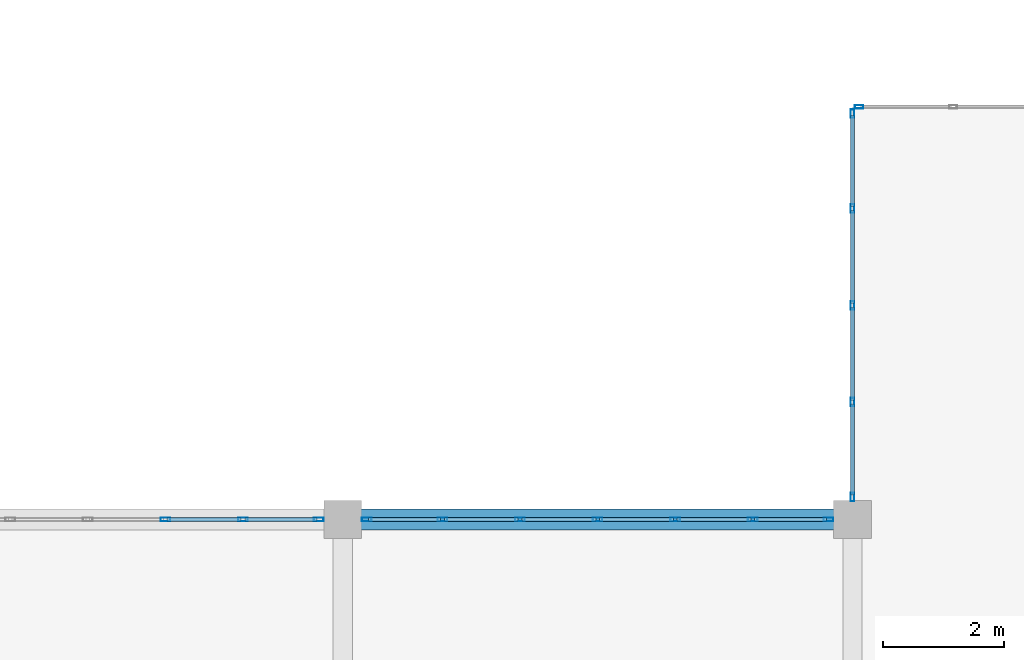
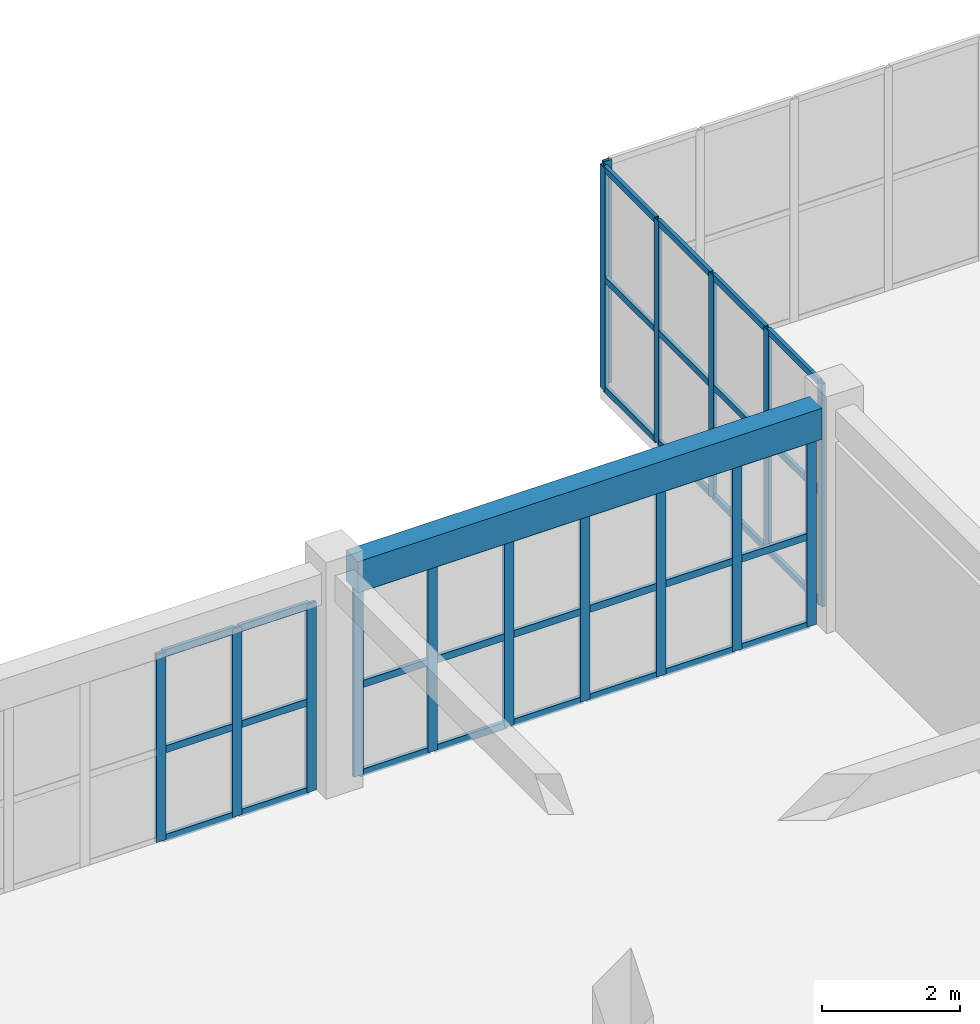
# One storey, part 44 of 81: 52 members, 1 beam, 4 elements without a shape of their own.
"""IFC4 building model written with IfcOpenShell, lengths in metres."""

from ifc_helpers import new_model, si_unit, direction, frame, origin, origin_2d, place, context, subcontext, project, spatial, rectangle, hollow_rectangle, extrude, material, layer, layer_set, material_profile, profile_set, type_object, element, aggregate, save


model = new_model("IFC4")

# Units and contexts
model_context = context("Model", 3, precision=1e-05, world=origin(), true_north=direction((0.0, 1.0)))
body_context = subcontext(model_context, "Body", "Model", "MODEL_VIEW")
ifc_project = project(units=[si_unit("LENGTHUNIT", "METRE"), si_unit("AREAUNIT", "SQUARE_METRE"), si_unit("VOLUMEUNIT", "CUBIC_METRE"), si_unit("PLANEANGLEUNIT", "RADIAN"), si_unit("MASSUNIT", "GRAM", prefix="KILO")], contexts=[model_context])

# Site, building, storey
site_placement = place(None, origin())
site = spatial("IfcSite", under=ifc_project, at=site_placement, CompositionType="ELEMENT")
building_placement = place(site_placement, origin())
building = spatial("IfcBuilding", under=site, at=building_placement, Name="Trelvath General Hospital", CompositionType="ELEMENT")
storey_placement = place(building_placement, frame((0.0, 0.0, 24.60009765625)))
storey = spatial("IfcBuildingStorey", under=building, at=storey_placement, Name="L06", CompositionType="ELEMENT", Elevation=24.60009765625)

# Beam
ifc_material_1 = material(Name="Concrete C35/45", Category="concrete")
ifc_material_profile_1 = material_profile(ifc_material_1, rectangle(XDim=0.35009765625, YDim=0.550048828125, at=origin_2d()), Name="RCB350x550")
ifc_profile_set_1 = profile_set([ifc_material_profile_1], Name="Concrete C35/45")
beam_type = type_object("IfcBeamType", Name="Beam RC350x550", PredefinedType="BEAM", material=ifc_profile_set_1)
beam_placement = place(storey_placement, frame((84.304931640625, 67.199951171875, 3.64501953125), z_axis=(1.0, 0.0, 0.0), x_axis=(0.0, 1.0, 0.0)))
element("IfcBeam", 1, at=beam_placement, inside=storey, type_object=beam_type, Name="Grid Beam BX-610I", PredefinedType="BEAM", context=body_context, shape_type="SweptSolid", body=[
    extrude(rectangle(XDim=0.35009765625, YDim=0.550048828125, at=origin_2d()), origin(), (0.0, 0.0, 1.0), 7.7900390625),
])

# Curtain wall, member
ifc_material_2 = material(Name="Anodised aluminium and low-E glass", Category="aluminium")
ifc_layer_1 = layer(ifc_material_2, 0.139892578125)
ifc_layer_set_1 = layer_set([ifc_layer_1], Name="Anodised aluminium and low-E glass")
curtain_wall_type_1 = type_object("IfcCurtainWallType", Name="CW CrystalCube 790 396 14", PredefinedType="USERDEFINED", material=ifc_layer_set_1)
curtain_wall_1_placement = place(storey_placement, origin())
curtain_wall_1 = element("IfcCurtainWall", 2, at=curtain_wall_1_placement, inside=storey, type_object=curtain_wall_type_1, Name="Crystal Cube Curtain Wall CUBE-E-T2 N1 L06", ObjectType="Unitised Glazed Curtain Wall", PredefinedType="USERDEFINED")
ifc_material_3 = material(Name="Anodised aluminium", Category="aluminium")
ifc_material_profile_2 = material_profile(ifc_material_3, hollow_rectangle(XDim=0.06005859375, YDim=0.139892578125, WallThickness=0.00390625, at=origin_2d()), Name="RHS60x140x4")
ifc_profile_set_2 = profile_set([ifc_material_profile_2], Name="Anodised aluminium")
member_type_1 = type_object("IfcMemberType", Name="CurtainMullion 60x140", PredefinedType="MULLION", material=ifc_profile_set_2)
member_1_placement = place(storey_placement, frame((92.510009765625, 74.0, 0.0), z_axis=(0.0, 0.0, 1.0), x_axis=(0.0, 1.0, 0.0)))
member_1 = element("IfcMember", 3, at=member_1_placement, type_object=member_type_1, Name="CW-334 mullion 1", PredefinedType="MULLION", context=body_context, shape_type="SweptSolid", body=[
    extrude(hollow_rectangle(XDim=0.06005859375, YDim=0.139892578125, WallThickness=0.00390625, at=origin_2d()), origin(), (0.0, 0.0, 1.0), 3.9599609375),
])
aggregate(curtain_wall_1, [member_1])

# Curtain wall, members
ifc_material_4 = material(Name="Anodised aluminium and low-E glass", Category="aluminium")
ifc_layer_2 = layer(ifc_material_4, 0.139892578125)
ifc_layer_set_2 = layer_set([ifc_layer_2], Name="Anodised aluminium and low-E glass")
curtain_wall_type_2 = type_object("IfcCurtainWallType", Name="CW CrystalCube 638 396 14", PredefinedType="USERDEFINED", material=ifc_layer_set_2)
curtain_wall_2_placement = place(storey_placement, origin())
curtain_wall_2 = element("IfcCurtainWall", 4, at=curtain_wall_2_placement, inside=storey, type_object=curtain_wall_type_2, Name="Crystal Cube Curtain Wall CUBE-E-T2 W3 L06", ObjectType="Unitised Glazed Curtain Wall", PredefinedType="USERDEFINED")
member_2_placement = place(storey_placement, frame((92.39990234375, 67.570068359375, 0.0), z_axis=(0.0, 0.0, 1.0), x_axis=(-1.0, 0.0, 0.0)))
member_2 = element("IfcMember", 5, at=member_2_placement, type_object=member_type_1, Name="CW-339 mullion 1", PredefinedType="MULLION", context=body_context, shape_type="SweptSolid", body=[
    extrude(hollow_rectangle(XDim=0.06005859375, YDim=0.139892578125, WallThickness=0.00390625, at=origin_2d()), origin(), (0.0, 0.0, 1.0), 3.9599609375),
])
member_3_placement = place(storey_placement, frame((92.39990234375, 69.135009765625, 0.0), z_axis=(0.0, 0.0, 1.0), x_axis=(-1.0, 0.0, 0.0)))
member_3 = element("IfcMember", 6, at=member_3_placement, type_object=member_type_1, Name="CW-339 mullion 2", PredefinedType="MULLION", context=body_context, shape_type="SweptSolid", body=[
    extrude(hollow_rectangle(XDim=0.06005859375, YDim=0.139892578125, WallThickness=0.00390625, at=origin_2d()), origin(), (0.0, 0.0, 1.0), 3.9599609375),
])
member_4_placement = place(storey_placement, frame((92.39990234375, 70.72998046875, 0.0), z_axis=(0.0, 0.0, 1.0), x_axis=(-1.0, 0.0, 0.0)))
member_4 = element("IfcMember", 7, at=member_4_placement, type_object=member_type_1, Name="CW-339 mullion 3", PredefinedType="MULLION", context=body_context, shape_type="SweptSolid", body=[
    extrude(hollow_rectangle(XDim=0.06005859375, YDim=0.139892578125, WallThickness=0.00390625, at=origin_2d()), origin(), (0.0, 0.0, 1.0), 3.9599609375),
])
member_5_placement = place(storey_placement, frame((92.39990234375, 72.324951171875, 0.0), z_axis=(0.0, 0.0, 1.0), x_axis=(-1.0, 0.0, 0.0)))
member_5 = element("IfcMember", 8, at=member_5_placement, type_object=member_type_1, Name="CW-339 mullion 4", PredefinedType="MULLION", context=body_context, shape_type="SweptSolid", body=[
    extrude(hollow_rectangle(XDim=0.06005859375, YDim=0.139892578125, WallThickness=0.00390625, at=origin_2d()), origin(), (0.0, 0.0, 1.0), 3.9599609375),
])
member_6_placement = place(storey_placement, frame((92.39990234375, 73.889892578125, 0.0), z_axis=(0.0, 0.0, 1.0), x_axis=(-1.0, 0.0, 0.0)))
member_6 = element("IfcMember", 9, at=member_6_placement, type_object=member_type_1, Name="CW-339 mullion 5", PredefinedType="MULLION", context=body_context, shape_type="SweptSolid", body=[
    extrude(hollow_rectangle(XDim=0.06005859375, YDim=0.139892578125, WallThickness=0.00390625, at=origin_2d()), origin(), (0.0, 0.0, 1.0), 3.9599609375),
])

ifc_material_5 = material(Name="Anodised aluminium and low-E glass", Category="aluminium")
ifc_layer_3 = layer(ifc_material_5, 0.14990234375)
ifc_layer_set_3 = layer_set([ifc_layer_3], Name="Anodised aluminium and low-E glass")
curtain_wall_type_3 = type_object("IfcCurtainWallType", Name="CW Facade 767 334 15", PredefinedType="USERDEFINED", material=ifc_layer_set_3)
curtain_wall_3_placement = place(storey_placement, origin())
curtain_wall_3 = element("IfcCurtainWall", 10, at=curtain_wall_3_placement, inside=storey, type_object=curtain_wall_type_3, Name="Facade Curtain Wall CW-079", ObjectType="Unitised Glazed Curtain Wall", PredefinedType="USERDEFINED")
ifc_material_6 = material(Name="Anodised aluminium", Category="aluminium")
ifc_material_profile_3 = material_profile(ifc_material_6, hollow_rectangle(XDim=0.06005859375, YDim=0.159912109375, WallThickness=0.00390625, at=origin_2d()), Name="RHS60x160x4")
ifc_profile_set_3 = profile_set([ifc_material_profile_3], Name="Anodised aluminium")
member_type_2 = type_object("IfcMemberType", Name="CurtainMullion 60x160", PredefinedType="MULLION", material=ifc_profile_set_3)
member_7_placement = place(storey_placement, frame((81.078369140625, 67.199951171875, 0.0), z_axis=(0.0, 0.0, 1.0), x_axis=(0.0, 1.0, 0.0)))
member_7 = element("IfcMember", 11, at=member_7_placement, type_object=member_type_2, Name="CW-079 mullion 5", PredefinedType="MULLION", context=body_context, shape_type="SweptSolid", body=[
    extrude(hollow_rectangle(XDim=0.06005859375, YDim=0.159912109375, WallThickness=0.00390625, at=origin_2d()), origin(), (0.0, 0.0, 1.0), 3.33984375),
])
member_8_placement = place(storey_placement, frame((82.356689453125, 67.199951171875, 0.0), z_axis=(0.0, 0.0, 1.0), x_axis=(0.0, 1.0, 0.0)))
member_8 = element("IfcMember", 12, at=member_8_placement, type_object=member_type_2, Name="CW-079 mullion 6", PredefinedType="MULLION", context=body_context, shape_type="SweptSolid", body=[
    extrude(hollow_rectangle(XDim=0.06005859375, YDim=0.159912109375, WallThickness=0.00390625, at=origin_2d()), origin(), (0.0, 0.0, 1.0), 3.33984375),
])
member_9_placement = place(storey_placement, frame((83.60498046875, 67.199951171875, 0.0), z_axis=(0.0, 0.0, 1.0), x_axis=(0.0, 1.0, 0.0)))
member_9 = element("IfcMember", 13, at=member_9_placement, type_object=member_type_2, Name="CW-079 mullion 7", PredefinedType="MULLION", context=body_context, shape_type="SweptSolid", body=[
    extrude(hollow_rectangle(XDim=0.06005859375, YDim=0.159912109375, WallThickness=0.00390625, at=origin_2d()), origin(), (0.0, 0.0, 1.0), 3.33984375),
])

curtain_wall_4_placement = place(storey_placement, origin())
curtain_wall_4 = element("IfcCurtainWall", 14, at=curtain_wall_4_placement, inside=storey, type_object=curtain_wall_type_3, Name="Facade Curtain Wall CW-081", ObjectType="Unitised Glazed Curtain Wall", PredefinedType="USERDEFINED")
member_10_placement = place(storey_placement, frame((84.39501953125, 67.199951171875, 0.0), z_axis=(0.0, 0.0, 1.0), x_axis=(0.0, 1.0, 0.0)))
member_10 = element("IfcMember", 15, at=member_10_placement, type_object=member_type_2, Name="CW-081 mullion 1", PredefinedType="MULLION", context=body_context, shape_type="SweptSolid", body=[
    extrude(hollow_rectangle(XDim=0.06005859375, YDim=0.159912109375, WallThickness=0.00390625, at=origin_2d()), origin(), (0.0, 0.0, 1.0), 3.33984375),
])
member_11_placement = place(storey_placement, frame((85.643310546875, 67.199951171875, 0.0), z_axis=(0.0, 0.0, 1.0), x_axis=(0.0, 1.0, 0.0)))
member_11 = element("IfcMember", 16, at=member_11_placement, type_object=member_type_2, Name="CW-081 mullion 2", PredefinedType="MULLION", context=body_context, shape_type="SweptSolid", body=[
    extrude(hollow_rectangle(XDim=0.06005859375, YDim=0.159912109375, WallThickness=0.00390625, at=origin_2d()), origin(), (0.0, 0.0, 1.0), 3.33984375),
])
member_12_placement = place(storey_placement, frame((86.921630859375, 67.199951171875, 0.0), z_axis=(0.0, 0.0, 1.0), x_axis=(0.0, 1.0, 0.0)))
member_12 = element("IfcMember", 17, at=member_12_placement, type_object=member_type_2, Name="CW-081 mullion 3", PredefinedType="MULLION", context=body_context, shape_type="SweptSolid", body=[
    extrude(hollow_rectangle(XDim=0.06005859375, YDim=0.159912109375, WallThickness=0.00390625, at=origin_2d()), origin(), (0.0, 0.0, 1.0), 3.33984375),
])
member_13_placement = place(storey_placement, frame((88.199951171875, 67.199951171875, 0.0), z_axis=(0.0, 0.0, 1.0), x_axis=(0.0, 1.0, 0.0)))
member_13 = element("IfcMember", 18, at=member_13_placement, type_object=member_type_2, Name="CW-081 mullion 4", PredefinedType="MULLION", context=body_context, shape_type="SweptSolid", body=[
    extrude(hollow_rectangle(XDim=0.06005859375, YDim=0.159912109375, WallThickness=0.00390625, at=origin_2d()), origin(), (0.0, 0.0, 1.0), 3.33984375),
])
member_14_placement = place(storey_placement, frame((89.478271484375, 67.199951171875, 0.0), z_axis=(0.0, 0.0, 1.0), x_axis=(0.0, 1.0, 0.0)))
member_14 = element("IfcMember", 19, at=member_14_placement, type_object=member_type_2, Name="CW-081 mullion 5", PredefinedType="MULLION", context=body_context, shape_type="SweptSolid", body=[
    extrude(hollow_rectangle(XDim=0.06005859375, YDim=0.159912109375, WallThickness=0.00390625, at=origin_2d()), origin(), (0.0, 0.0, 1.0), 3.33984375),
])
member_15_placement = place(storey_placement, frame((90.756591796875, 67.199951171875, 0.0), z_axis=(0.0, 0.0, 1.0), x_axis=(0.0, 1.0, 0.0)))
member_15 = element("IfcMember", 20, at=member_15_placement, type_object=member_type_2, Name="CW-081 mullion 6", PredefinedType="MULLION", context=body_context, shape_type="SweptSolid", body=[
    extrude(hollow_rectangle(XDim=0.06005859375, YDim=0.159912109375, WallThickness=0.00390625, at=origin_2d()), origin(), (0.0, 0.0, 1.0), 3.33984375),
])
member_16_placement = place(storey_placement, frame((92.0048828125, 67.199951171875, 0.0), z_axis=(0.0, 0.0, 1.0), x_axis=(0.0, 1.0, 0.0)))
member_16 = element("IfcMember", 21, at=member_16_placement, type_object=member_type_2, Name="CW-081 mullion 7", PredefinedType="MULLION", context=body_context, shape_type="SweptSolid", body=[
    extrude(hollow_rectangle(XDim=0.06005859375, YDim=0.159912109375, WallThickness=0.00390625, at=origin_2d()), origin(), (0.0, 0.0, 1.0), 3.33984375),
])

# Member
ifc_material_7 = material(Name="Anodised aluminium", Category="aluminium")
ifc_material_profile_4 = material_profile(ifc_material_7, hollow_rectangle(XDim=0.06005859375, YDim=0.110107421875, WallThickness=0.00390625, at=origin_2d()), Name="RHS60x110x4")
ifc_profile_set_4 = profile_set([ifc_material_profile_4], Name="Anodised aluminium")
member_type_3 = type_object("IfcMemberType", Name="CurtainTransom 60x110", PredefinedType="USERDEFINED", material=ifc_profile_set_4)
member_17_placement = place(storey_placement, frame((92.39990234375, 67.60009765625, 0.02978515625), z_axis=(0.0, 1.0, 0.0), x_axis=(-1.0, 0.0, 0.0)))
member_17 = element("IfcMember", 22, at=member_17_placement, type_object=member_type_3, Name="CW-339 transom 1.1", ObjectType="TRANSOM", PredefinedType="USERDEFINED", context=body_context, shape_type="SweptSolid", body=[
    extrude(hollow_rectangle(XDim=0.06005859375, YDim=0.110107421875, WallThickness=0.00390625, at=origin_2d()), origin(), (0.0, 0.0, 1.0), 1.5048828125),
])

member_18_placement = place(storey_placement, frame((92.39990234375, 67.60009765625, 1.97998046875), z_axis=(0.0, 1.0, 0.0), x_axis=(-1.0, 0.0, 0.0)))
member_18 = element("IfcMember", 23, at=member_18_placement, type_object=member_type_3, Name="CW-339 transom 1.2", ObjectType="TRANSOM", PredefinedType="USERDEFINED", context=body_context, shape_type="SweptSolid", body=[
    extrude(hollow_rectangle(XDim=0.06005859375, YDim=0.110107421875, WallThickness=0.00390625, at=origin_2d()), origin(), (0.0, 0.0, 1.0), 1.5048828125),
])

member_19_placement = place(storey_placement, frame((92.39990234375, 67.60009765625, 3.929931640625), z_axis=(0.0, 1.0, 0.0), x_axis=(-1.0, 0.0, 0.0)))
member_19 = element("IfcMember", 24, at=member_19_placement, type_object=member_type_3, Name="CW-339 transom 1.3", ObjectType="TRANSOM", PredefinedType="USERDEFINED", context=body_context, shape_type="SweptSolid", body=[
    extrude(hollow_rectangle(XDim=0.06005859375, YDim=0.110107421875, WallThickness=0.00390625, at=origin_2d()), origin(), (0.0, 0.0, 1.0), 1.5048828125),
])

member_20_placement = place(storey_placement, frame((92.39990234375, 69.1650390625, 0.02978515625), z_axis=(0.0, 1.0, 0.0), x_axis=(-1.0, 0.0, 0.0)))
member_20 = element("IfcMember", 25, at=member_20_placement, type_object=member_type_3, Name="CW-339 transom 2.1", ObjectType="TRANSOM", PredefinedType="USERDEFINED", context=body_context, shape_type="SweptSolid", body=[
    extrude(hollow_rectangle(XDim=0.06005859375, YDim=0.110107421875, WallThickness=0.00390625, at=origin_2d()), origin(), (0.0, 0.0, 1.0), 1.534912109375),
])

member_21_placement = place(storey_placement, frame((92.39990234375, 69.1650390625, 1.97998046875), z_axis=(0.0, 1.0, 0.0), x_axis=(-1.0, 0.0, 0.0)))
member_21 = element("IfcMember", 26, at=member_21_placement, type_object=member_type_3, Name="CW-339 transom 2.2", ObjectType="TRANSOM", PredefinedType="USERDEFINED", context=body_context, shape_type="SweptSolid", body=[
    extrude(hollow_rectangle(XDim=0.06005859375, YDim=0.110107421875, WallThickness=0.00390625, at=origin_2d()), origin(), (0.0, 0.0, 1.0), 1.534912109375),
])

member_22_placement = place(storey_placement, frame((92.39990234375, 69.1650390625, 3.929931640625), z_axis=(0.0, 1.0, 0.0), x_axis=(-1.0, 0.0, 0.0)))
member_22 = element("IfcMember", 27, at=member_22_placement, type_object=member_type_3, Name="CW-339 transom 2.3", ObjectType="TRANSOM", PredefinedType="USERDEFINED", context=body_context, shape_type="SweptSolid", body=[
    extrude(hollow_rectangle(XDim=0.06005859375, YDim=0.110107421875, WallThickness=0.00390625, at=origin_2d()), origin(), (0.0, 0.0, 1.0), 1.534912109375),
])

member_23_placement = place(storey_placement, frame((92.39990234375, 70.760009765625, 0.02978515625), z_axis=(0.0, 1.0, 0.0), x_axis=(-1.0, 0.0, 0.0)))
member_23 = element("IfcMember", 28, at=member_23_placement, type_object=member_type_3, Name="CW-339 transom 3.1", ObjectType="TRANSOM", PredefinedType="USERDEFINED", context=body_context, shape_type="SweptSolid", body=[
    extrude(hollow_rectangle(XDim=0.06005859375, YDim=0.110107421875, WallThickness=0.00390625, at=origin_2d()), origin(), (0.0, 0.0, 1.0), 1.534912109375),
])

member_24_placement = place(storey_placement, frame((92.39990234375, 70.760009765625, 1.97998046875), z_axis=(0.0, 1.0, 0.0), x_axis=(-1.0, 0.0, 0.0)))
member_24 = element("IfcMember", 29, at=member_24_placement, type_object=member_type_3, Name="CW-339 transom 3.2", ObjectType="TRANSOM", PredefinedType="USERDEFINED", context=body_context, shape_type="SweptSolid", body=[
    extrude(hollow_rectangle(XDim=0.06005859375, YDim=0.110107421875, WallThickness=0.00390625, at=origin_2d()), origin(), (0.0, 0.0, 1.0), 1.534912109375),
])

member_25_placement = place(storey_placement, frame((92.39990234375, 70.760009765625, 3.929931640625), z_axis=(0.0, 1.0, 0.0), x_axis=(-1.0, 0.0, 0.0)))
member_25 = element("IfcMember", 30, at=member_25_placement, type_object=member_type_3, Name="CW-339 transom 3.3", ObjectType="TRANSOM", PredefinedType="USERDEFINED", context=body_context, shape_type="SweptSolid", body=[
    extrude(hollow_rectangle(XDim=0.06005859375, YDim=0.110107421875, WallThickness=0.00390625, at=origin_2d()), origin(), (0.0, 0.0, 1.0), 1.534912109375),
])

member_26_placement = place(storey_placement, frame((92.39990234375, 72.35498046875, 0.02978515625), z_axis=(0.0, 1.0, 0.0), x_axis=(-1.0, 0.0, 0.0)))
member_26 = element("IfcMember", 31, at=member_26_placement, type_object=member_type_3, Name="CW-339 transom 4.1", ObjectType="TRANSOM", PredefinedType="USERDEFINED", context=body_context, shape_type="SweptSolid", body=[
    extrude(hollow_rectangle(XDim=0.06005859375, YDim=0.110107421875, WallThickness=0.00390625, at=origin_2d()), origin(), (0.0, 0.0, 1.0), 1.505126953125),
])

member_27_placement = place(storey_placement, frame((92.39990234375, 72.35498046875, 1.97998046875), z_axis=(0.0, 1.0, 0.0), x_axis=(-1.0, 0.0, 0.0)))
member_27 = element("IfcMember", 32, at=member_27_placement, type_object=member_type_3, Name="CW-339 transom 4.2", ObjectType="TRANSOM", PredefinedType="USERDEFINED", context=body_context, shape_type="SweptSolid", body=[
    extrude(hollow_rectangle(XDim=0.06005859375, YDim=0.110107421875, WallThickness=0.00390625, at=origin_2d()), origin(), (0.0, 0.0, 1.0), 1.505126953125),
])

member_28_placement = place(storey_placement, frame((92.39990234375, 72.35498046875, 3.929931640625), z_axis=(0.0, 1.0, 0.0), x_axis=(-1.0, 0.0, 0.0)))
member_28 = element("IfcMember", 33, at=member_28_placement, type_object=member_type_3, Name="CW-339 transom 4.3", ObjectType="TRANSOM", PredefinedType="USERDEFINED", context=body_context, shape_type="SweptSolid", body=[
    extrude(hollow_rectangle(XDim=0.06005859375, YDim=0.110107421875, WallThickness=0.00390625, at=origin_2d()), origin(), (0.0, 0.0, 1.0), 1.505126953125),
])

aggregate(curtain_wall_2, [member_2, member_3, member_4, member_5, member_6, member_17, member_18, member_19, member_20, member_21, member_22, member_23, member_24, member_25, member_26, member_27, member_28])

ifc_material_8 = material(Name="Anodised aluminium", Category="aluminium")
ifc_material_profile_5 = material_profile(ifc_material_8, hollow_rectangle(XDim=0.06005859375, YDim=0.125, WallThickness=0.00390625, at=origin_2d()), Name="RHS60x125x4")
ifc_profile_set_5 = profile_set([ifc_material_profile_5], Name="Anodised aluminium")
member_type_4 = type_object("IfcMemberType", Name="CurtainTransom 60x125", PredefinedType="USERDEFINED", material=ifc_profile_set_5)
member_29_placement = place(storey_placement, frame((81.1083984375, 67.199951171875, 0.02978515625), z_axis=(1.0, 0.0, 0.0), x_axis=(0.0, 1.0, 0.0)))
member_29 = element("IfcMember", 34, at=member_29_placement, type_object=member_type_4, Name="CW-079 transom 5.1", ObjectType="TRANSOM", PredefinedType="USERDEFINED", context=body_context, shape_type="SweptSolid", body=[
    extrude(hollow_rectangle(XDim=0.06005859375, YDim=0.125, WallThickness=0.00390625, at=origin_2d()), origin(), (0.0, 0.0, 1.0), 1.21826171875),
])

member_30_placement = place(storey_placement, frame((81.1083984375, 67.199951171875, 1.602783203125), z_axis=(1.0, 0.0, 0.0), x_axis=(0.0, 1.0, 0.0)))
member_30 = element("IfcMember", 35, at=member_30_placement, type_object=member_type_4, Name="CW-079 transom 5.2", ObjectType="TRANSOM", PredefinedType="USERDEFINED", context=body_context, shape_type="SweptSolid", body=[
    extrude(hollow_rectangle(XDim=0.06005859375, YDim=0.125, WallThickness=0.00390625, at=origin_2d()), origin(), (0.0, 0.0, 1.0), 1.21826171875),
])

member_31_placement = place(storey_placement, frame((81.1083984375, 67.199951171875, 3.309814453125), z_axis=(1.0, 0.0, 0.0), x_axis=(0.0, 1.0, 0.0)))
member_31 = element("IfcMember", 36, at=member_31_placement, type_object=member_type_4, Name="CW-079 transom 5.3", ObjectType="TRANSOM", PredefinedType="USERDEFINED", context=body_context, shape_type="SweptSolid", body=[
    extrude(hollow_rectangle(XDim=0.06005859375, YDim=0.125, WallThickness=0.00390625, at=origin_2d()), origin(), (0.0, 0.0, 1.0), 1.21826171875),
])

member_32_placement = place(storey_placement, frame((82.38671875, 67.199951171875, 0.02978515625), z_axis=(1.0, 0.0, 0.0), x_axis=(0.0, 1.0, 0.0)))
member_32 = element("IfcMember", 37, at=member_32_placement, type_object=member_type_4, Name="CW-079 transom 6.1", ObjectType="TRANSOM", PredefinedType="USERDEFINED", context=body_context, shape_type="SweptSolid", body=[
    extrude(hollow_rectangle(XDim=0.06005859375, YDim=0.125, WallThickness=0.00390625, at=origin_2d()), origin(), (0.0, 0.0, 1.0), 1.188232421875),
])

member_33_placement = place(storey_placement, frame((82.38671875, 67.199951171875, 1.602783203125), z_axis=(1.0, 0.0, 0.0), x_axis=(0.0, 1.0, 0.0)))
member_33 = element("IfcMember", 38, at=member_33_placement, type_object=member_type_4, Name="CW-079 transom 6.2", ObjectType="TRANSOM", PredefinedType="USERDEFINED", context=body_context, shape_type="SweptSolid", body=[
    extrude(hollow_rectangle(XDim=0.06005859375, YDim=0.125, WallThickness=0.00390625, at=origin_2d()), origin(), (0.0, 0.0, 1.0), 1.188232421875),
])

member_34_placement = place(storey_placement, frame((82.38671875, 67.199951171875, 3.309814453125), z_axis=(1.0, 0.0, 0.0), x_axis=(0.0, 1.0, 0.0)))
member_34 = element("IfcMember", 39, at=member_34_placement, type_object=member_type_4, Name="CW-079 transom 6.3", ObjectType="TRANSOM", PredefinedType="USERDEFINED", context=body_context, shape_type="SweptSolid", body=[
    extrude(hollow_rectangle(XDim=0.06005859375, YDim=0.125, WallThickness=0.00390625, at=origin_2d()), origin(), (0.0, 0.0, 1.0), 1.188232421875),
])

aggregate(curtain_wall_3, [member_7, member_8, member_9, member_29, member_30, member_31, member_32, member_33, member_34])

member_35_placement = place(storey_placement, frame((84.425048828125, 67.199951171875, 0.02978515625), z_axis=(1.0, 0.0, 0.0), x_axis=(0.0, 1.0, 0.0)))
member_35 = element("IfcMember", 40, at=member_35_placement, type_object=member_type_4, Name="CW-081 transom 1.1", ObjectType="TRANSOM", PredefinedType="USERDEFINED", context=body_context, shape_type="SweptSolid", body=[
    extrude(hollow_rectangle(XDim=0.06005859375, YDim=0.125, WallThickness=0.00390625, at=origin_2d()), origin(), (0.0, 0.0, 1.0), 1.188232421875),
])

member_36_placement = place(storey_placement, frame((84.425048828125, 67.199951171875, 1.602783203125), z_axis=(1.0, 0.0, 0.0), x_axis=(0.0, 1.0, 0.0)))
member_36 = element("IfcMember", 41, at=member_36_placement, type_object=member_type_4, Name="CW-081 transom 1.2", ObjectType="TRANSOM", PredefinedType="USERDEFINED", context=body_context, shape_type="SweptSolid", body=[
    extrude(hollow_rectangle(XDim=0.06005859375, YDim=0.125, WallThickness=0.00390625, at=origin_2d()), origin(), (0.0, 0.0, 1.0), 1.188232421875),
])

member_37_placement = place(storey_placement, frame((84.425048828125, 67.199951171875, 3.309814453125), z_axis=(1.0, 0.0, 0.0), x_axis=(0.0, 1.0, 0.0)))
member_37 = element("IfcMember", 42, at=member_37_placement, type_object=member_type_4, Name="CW-081 transom 1.3", ObjectType="TRANSOM", PredefinedType="USERDEFINED", context=body_context, shape_type="SweptSolid", body=[
    extrude(hollow_rectangle(XDim=0.06005859375, YDim=0.125, WallThickness=0.00390625, at=origin_2d()), origin(), (0.0, 0.0, 1.0), 1.188232421875),
])

member_38_placement = place(storey_placement, frame((85.67333984375, 67.199951171875, 0.02978515625), z_axis=(1.0, 0.0, 0.0), x_axis=(0.0, 1.0, 0.0)))
member_38 = element("IfcMember", 43, at=member_38_placement, type_object=member_type_4, Name="CW-081 transom 2.1", ObjectType="TRANSOM", PredefinedType="USERDEFINED", context=body_context, shape_type="SweptSolid", body=[
    extrude(hollow_rectangle(XDim=0.06005859375, YDim=0.125, WallThickness=0.00390625, at=origin_2d()), origin(), (0.0, 0.0, 1.0), 1.21826171875),
])

member_39_placement = place(storey_placement, frame((85.67333984375, 67.199951171875, 1.602783203125), z_axis=(1.0, 0.0, 0.0), x_axis=(0.0, 1.0, 0.0)))
member_39 = element("IfcMember", 44, at=member_39_placement, type_object=member_type_4, Name="CW-081 transom 2.2", ObjectType="TRANSOM", PredefinedType="USERDEFINED", context=body_context, shape_type="SweptSolid", body=[
    extrude(hollow_rectangle(XDim=0.06005859375, YDim=0.125, WallThickness=0.00390625, at=origin_2d()), origin(), (0.0, 0.0, 1.0), 1.21826171875),
])

member_40_placement = place(storey_placement, frame((85.67333984375, 67.199951171875, 3.309814453125), z_axis=(1.0, 0.0, 0.0), x_axis=(0.0, 1.0, 0.0)))
member_40 = element("IfcMember", 45, at=member_40_placement, type_object=member_type_4, Name="CW-081 transom 2.3", ObjectType="TRANSOM", PredefinedType="USERDEFINED", context=body_context, shape_type="SweptSolid", body=[
    extrude(hollow_rectangle(XDim=0.06005859375, YDim=0.125, WallThickness=0.00390625, at=origin_2d()), origin(), (0.0, 0.0, 1.0), 1.21826171875),
])

member_41_placement = place(storey_placement, frame((86.95166015625, 67.199951171875, 0.02978515625), z_axis=(1.0, 0.0, 0.0), x_axis=(0.0, 1.0, 0.0)))
member_41 = element("IfcMember", 46, at=member_41_placement, type_object=member_type_4, Name="CW-081 transom 3.1", ObjectType="TRANSOM", PredefinedType="USERDEFINED", context=body_context, shape_type="SweptSolid", body=[
    extrude(hollow_rectangle(XDim=0.06005859375, YDim=0.125, WallThickness=0.00390625, at=origin_2d()), origin(), (0.0, 0.0, 1.0), 1.21826171875),
])

member_42_placement = place(storey_placement, frame((86.95166015625, 67.199951171875, 1.602783203125), z_axis=(1.0, 0.0, 0.0), x_axis=(0.0, 1.0, 0.0)))
member_42 = element("IfcMember", 47, at=member_42_placement, type_object=member_type_4, Name="CW-081 transom 3.2", ObjectType="TRANSOM", PredefinedType="USERDEFINED", context=body_context, shape_type="SweptSolid", body=[
    extrude(hollow_rectangle(XDim=0.06005859375, YDim=0.125, WallThickness=0.00390625, at=origin_2d()), origin(), (0.0, 0.0, 1.0), 1.21826171875),
])

member_43_placement = place(storey_placement, frame((86.95166015625, 67.199951171875, 3.309814453125), z_axis=(1.0, 0.0, 0.0), x_axis=(0.0, 1.0, 0.0)))
member_43 = element("IfcMember", 48, at=member_43_placement, type_object=member_type_4, Name="CW-081 transom 3.3", ObjectType="TRANSOM", PredefinedType="USERDEFINED", context=body_context, shape_type="SweptSolid", body=[
    extrude(hollow_rectangle(XDim=0.06005859375, YDim=0.125, WallThickness=0.00390625, at=origin_2d()), origin(), (0.0, 0.0, 1.0), 1.21826171875),
])

member_44_placement = place(storey_placement, frame((88.22998046875, 67.199951171875, 0.02978515625), z_axis=(1.0, 0.0, 0.0), x_axis=(0.0, 1.0, 0.0)))
member_44 = element("IfcMember", 49, at=member_44_placement, type_object=member_type_4, Name="CW-081 transom 4.1", ObjectType="TRANSOM", PredefinedType="USERDEFINED", context=body_context, shape_type="SweptSolid", body=[
    extrude(hollow_rectangle(XDim=0.06005859375, YDim=0.125, WallThickness=0.00390625, at=origin_2d()), origin(), (0.0, 0.0, 1.0), 1.21826171875),
])

member_45_placement = place(storey_placement, frame((88.22998046875, 67.199951171875, 1.602783203125), z_axis=(1.0, 0.0, 0.0), x_axis=(0.0, 1.0, 0.0)))
member_45 = element("IfcMember", 50, at=member_45_placement, type_object=member_type_4, Name="CW-081 transom 4.2", ObjectType="TRANSOM", PredefinedType="USERDEFINED", context=body_context, shape_type="SweptSolid", body=[
    extrude(hollow_rectangle(XDim=0.06005859375, YDim=0.125, WallThickness=0.00390625, at=origin_2d()), origin(), (0.0, 0.0, 1.0), 1.21826171875),
])

member_46_placement = place(storey_placement, frame((88.22998046875, 67.199951171875, 3.309814453125), z_axis=(1.0, 0.0, 0.0), x_axis=(0.0, 1.0, 0.0)))
member_46 = element("IfcMember", 51, at=member_46_placement, type_object=member_type_4, Name="CW-081 transom 4.3", ObjectType="TRANSOM", PredefinedType="USERDEFINED", context=body_context, shape_type="SweptSolid", body=[
    extrude(hollow_rectangle(XDim=0.06005859375, YDim=0.125, WallThickness=0.00390625, at=origin_2d()), origin(), (0.0, 0.0, 1.0), 1.21826171875),
])

member_47_placement = place(storey_placement, frame((89.50830078125, 67.199951171875, 0.02978515625), z_axis=(1.0, 0.0, 0.0), x_axis=(0.0, 1.0, 0.0)))
member_47 = element("IfcMember", 52, at=member_47_placement, type_object=member_type_4, Name="CW-081 transom 5.1", ObjectType="TRANSOM", PredefinedType="USERDEFINED", context=body_context, shape_type="SweptSolid", body=[
    extrude(hollow_rectangle(XDim=0.06005859375, YDim=0.125, WallThickness=0.00390625, at=origin_2d()), origin(), (0.0, 0.0, 1.0), 1.21826171875),
])

member_48_placement = place(storey_placement, frame((89.50830078125, 67.199951171875, 1.602783203125), z_axis=(1.0, 0.0, 0.0), x_axis=(0.0, 1.0, 0.0)))
member_48 = element("IfcMember", 53, at=member_48_placement, type_object=member_type_4, Name="CW-081 transom 5.2", ObjectType="TRANSOM", PredefinedType="USERDEFINED", context=body_context, shape_type="SweptSolid", body=[
    extrude(hollow_rectangle(XDim=0.06005859375, YDim=0.125, WallThickness=0.00390625, at=origin_2d()), origin(), (0.0, 0.0, 1.0), 1.21826171875),
])

member_49_placement = place(storey_placement, frame((89.50830078125, 67.199951171875, 3.309814453125), z_axis=(1.0, 0.0, 0.0), x_axis=(0.0, 1.0, 0.0)))
member_49 = element("IfcMember", 54, at=member_49_placement, type_object=member_type_4, Name="CW-081 transom 5.3", ObjectType="TRANSOM", PredefinedType="USERDEFINED", context=body_context, shape_type="SweptSolid", body=[
    extrude(hollow_rectangle(XDim=0.06005859375, YDim=0.125, WallThickness=0.00390625, at=origin_2d()), origin(), (0.0, 0.0, 1.0), 1.21826171875),
])

member_50_placement = place(storey_placement, frame((90.78662109375, 67.199951171875, 0.02978515625), z_axis=(1.0, 0.0, 0.0), x_axis=(0.0, 1.0, 0.0)))
member_50 = element("IfcMember", 55, at=member_50_placement, type_object=member_type_4, Name="CW-081 transom 6.1", ObjectType="TRANSOM", PredefinedType="USERDEFINED", context=body_context, shape_type="SweptSolid", body=[
    extrude(hollow_rectangle(XDim=0.06005859375, YDim=0.125, WallThickness=0.00390625, at=origin_2d()), origin(), (0.0, 0.0, 1.0), 1.1884765625),
])

member_51_placement = place(storey_placement, frame((90.78662109375, 67.199951171875, 1.602783203125), z_axis=(1.0, 0.0, 0.0), x_axis=(0.0, 1.0, 0.0)))
member_51 = element("IfcMember", 56, at=member_51_placement, type_object=member_type_4, Name="CW-081 transom 6.2", ObjectType="TRANSOM", PredefinedType="USERDEFINED", context=body_context, shape_type="SweptSolid", body=[
    extrude(hollow_rectangle(XDim=0.06005859375, YDim=0.125, WallThickness=0.00390625, at=origin_2d()), origin(), (0.0, 0.0, 1.0), 1.1884765625),
])

member_52_placement = place(storey_placement, frame((90.78662109375, 67.199951171875, 3.309814453125), z_axis=(1.0, 0.0, 0.0), x_axis=(0.0, 1.0, 0.0)))
member_52 = element("IfcMember", 57, at=member_52_placement, type_object=member_type_4, Name="CW-081 transom 6.3", ObjectType="TRANSOM", PredefinedType="USERDEFINED", context=body_context, shape_type="SweptSolid", body=[
    extrude(hollow_rectangle(XDim=0.06005859375, YDim=0.125, WallThickness=0.00390625, at=origin_2d()), origin(), (0.0, 0.0, 1.0), 1.1884765625),
])

aggregate(curtain_wall_4, [member_10, member_11, member_12, member_13, member_14, member_15, member_16, member_35, member_36, member_37, member_38, member_39, member_40, member_41, member_42, member_43, member_44, member_45, member_46, member_47, member_48, member_49, member_50, member_51, member_52])

save(model, "model.ifc")
